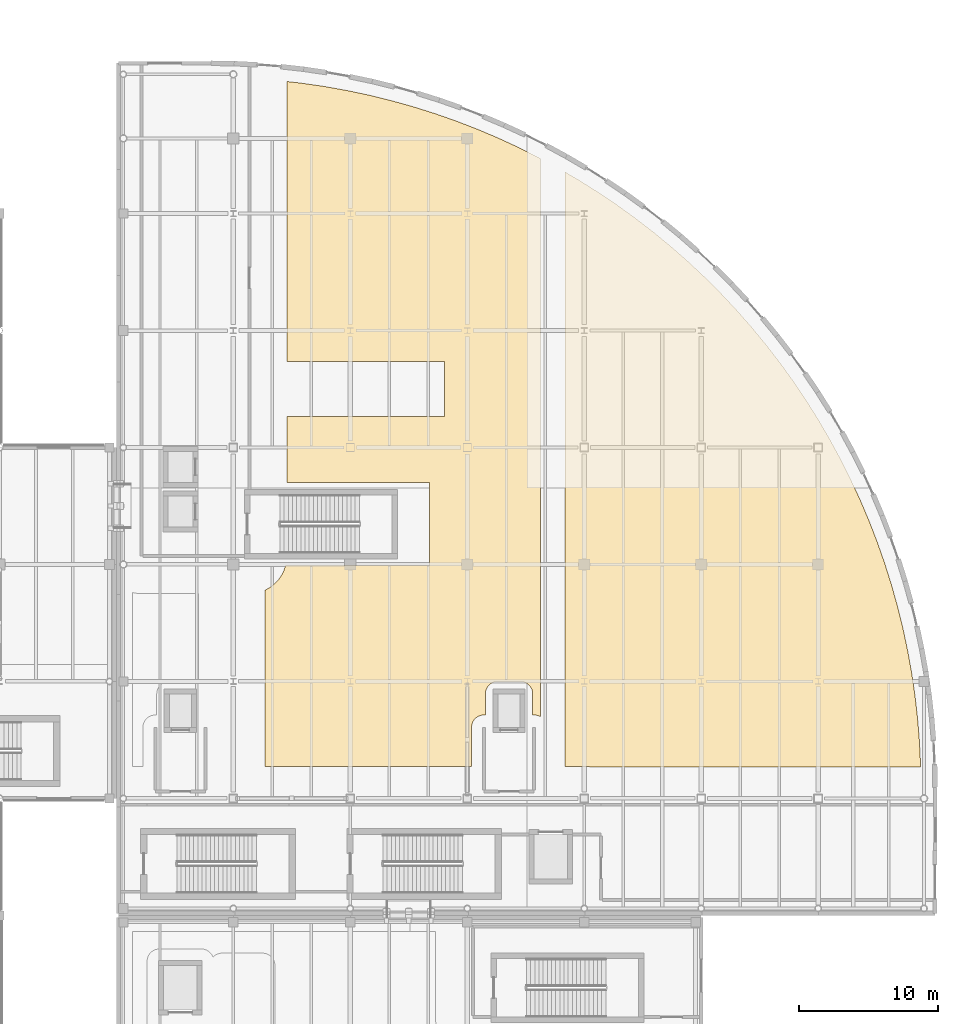
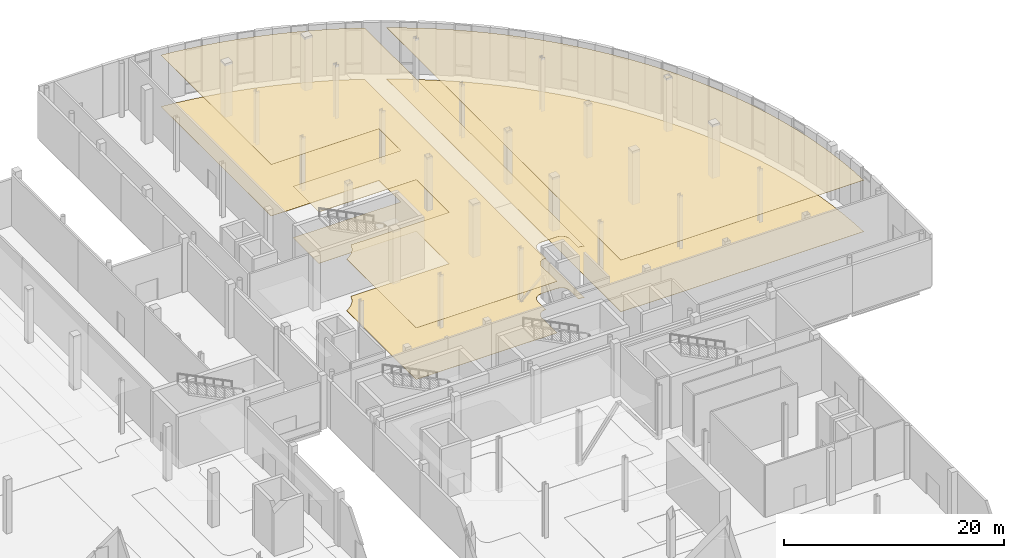
# One storey, part 82 of 85: 4 coverings.
"""IFC4 building model written with IfcOpenShell, lengths in metres."""

from ifc_helpers import new_model, si_unit, direction, frame, origin, place, context, subcontext, project, spatial, polyline, outline, extrude, material, layer, layer_set, type_object, element, save


model = new_model("IFC4")

# Units and contexts
model_context = context("Model", 3, precision=1e-05, world=origin(), true_north=direction((0.0, 1.0)))
body_context = subcontext(model_context, "Body", "Model", "MODEL_VIEW")
ifc_project = project(units=[si_unit("LENGTHUNIT", "METRE"), si_unit("AREAUNIT", "SQUARE_METRE"), si_unit("VOLUMEUNIT", "CUBIC_METRE"), si_unit("PLANEANGLEUNIT", "RADIAN"), si_unit("MASSUNIT", "GRAM", prefix="KILO"), si_unit("THERMODYNAMICTEMPERATUREUNIT", "KELVIN")], contexts=[model_context])

# Site, building, storey
site_placement = place(None, origin())
site = spatial("IfcSite", under=ifc_project, at=site_placement, CompositionType="ELEMENT")
building_placement = place(site_placement, origin())
building = spatial("IfcBuilding", under=site, at=building_placement, Name="Lustrewick Department Store", CompositionType="ELEMENT")
storey_placement = place(building_placement, origin())
storey = spatial("IfcBuildingStorey", under=building, at=storey_placement, Name="L01", CompositionType="ELEMENT", Elevation=0.0)

# Coverings
ifc_material_1 = material(Name="Perforated mineral-fibre acoustic ceiling board", Category="gypsum")
ifc_layer_1 = layer(ifc_material_1, 0.02490234375, Name="Perforated mineral-fibre acoustic ceiling board")
ifc_layer_set_1 = layer_set([ifc_layer_1], Name="Perforated mineral-fibre acoustic ceiling board")
covering_type_1 = type_object("IfcCoveringType", Name="COV-CEIL", PredefinedType="CEILING", material=ifc_layer_set_1)
covering_1_placement = place(storey_placement, frame((0.0, 0.0, 5.719970703125)))
element("IfcCovering", 1, at=covering_1_placement, inside=storey, type_object=covering_type_1, Name="L01 Watch and Jewellery Gallery Acoustic Ceiling", PredefinedType="CEILING", context=body_context, shape_type="SweptSolid", body=[
    extrude(outline(polyline([(119.889892578125, 73.765869140625), (119.889892578125, 61.090087890625), (134.7099609375, 61.090087890625), (134.7099609375, 63.903076171875), (134.714111328125, 63.98779296875), (134.726806640625, 64.071533203125), (134.727294921875, 64.074951171875), (134.731201171875, 64.092529296875), (134.731689453125, 64.095703125), (134.75439453125, 64.178466796875), (134.785400390625, 64.258544921875), (134.787841796875, 64.263671875), (134.821044921875, 64.33056640625), (134.8232421875, 64.33447265625), (134.86083984375, 64.39599609375), (134.903564453125, 64.4541015625), (134.906982421875, 64.45849609375), (134.970703125, 64.529296875), (135.04150390625, 64.593017578125), (135.0458984375, 64.596435546875), (135.10400390625, 64.63916015625), (135.16552734375, 64.6767578125), (135.16943359375, 64.678955078125), (135.236328125, 64.712158203125), (135.241455078125, 64.714599609375), (135.321533203125, 64.74560546875), (135.404296875, 64.768310546875), (135.407470703125, 64.768798828125), (135.425048828125, 64.772705078125), (135.428466796875, 64.773193359375), (135.51220703125, 64.785888671875), (135.596923828125, 64.7900390625), (135.699951171875, 64.7900390625), (135.699951171875, 66.301025390625), (135.700927734375, 66.343017578125), (135.701416015625, 66.34814453125), (135.71044921875, 66.43701171875), (135.71142578125, 66.443115234375), (135.72900390625, 66.52587890625), (135.72998046875, 66.53076171875), (135.741455078125, 66.56982421875), (135.742919921875, 66.574462890625), (135.769775390625, 66.6474609375), (135.802978515625, 66.7177734375), (135.80517578125, 66.721923828125), (135.823486328125, 66.7548828125), (135.82568359375, 66.758544921875), (135.857421875, 66.80859375), (135.8603515625, 66.812744140625), (135.907958984375, 66.87548828125), (135.9609375, 66.93359375), (135.96630859375, 66.93896484375), (136.0244140625, 66.9921875), (136.087158203125, 67.03955078125), (136.091552734375, 67.04248046875), (136.1416015625, 67.074462890625), (136.145263671875, 67.07666015625), (136.177978515625, 67.094970703125), (136.18212890625, 67.09716796875), (136.25244140625, 67.13037109375), (136.32568359375, 67.156982421875), (136.330078125, 67.158447265625), (136.369384765625, 67.169921875), (136.3740234375, 67.171142578125), (136.456787109375, 67.1884765625), (136.462890625, 67.189453125), (136.552001953125, 67.19873046875), (136.55712890625, 67.198974609375), (136.59912109375, 67.199951171875), (138.200927734375, 67.199951171875), (138.242919921875, 67.198974609375), (138.248046875, 67.19873046875), (138.337158203125, 67.189453125), (138.343017578125, 67.1884765625), (138.42578125, 67.171142578125), (138.4306640625, 67.169921875), (138.469970703125, 67.158447265625), (138.474365234375, 67.156982421875), (138.547607421875, 67.13037109375), (138.617919921875, 67.09716796875), (138.621826171875, 67.094970703125), (138.65478515625, 67.07666015625), (138.658447265625, 67.074462890625), (138.70849609375, 67.04248046875), (138.712890625, 67.03955078125), (138.775390625, 66.9921875), (138.833740234375, 66.93896484375), (138.839111328125, 66.93359375), (138.89208984375, 66.87548828125), (138.939697265625, 66.812744140625), (138.942626953125, 66.80859375), (138.974365234375, 66.758544921875), (138.9765625, 66.7548828125), (138.994873046875, 66.721923828125), (138.9970703125, 66.7177734375), (139.0302734375, 66.6474609375), (139.05712890625, 66.574462890625), (139.05859375, 66.56982421875), (139.06982421875, 66.53076171875), (139.071044921875, 66.52587890625), (139.08837890625, 66.443115234375), (139.089599609375, 66.43701171875), (139.0986328125, 66.34814453125), (139.09912109375, 66.343017578125), (139.10009765625, 66.301025390625), (139.10009765625, 64.7900390625), (139.202880859375, 64.7900390625), (139.28759765625, 64.785888671875), (139.37158203125, 64.773193359375), (139.375, 64.772705078125), (139.392578125, 64.768798828125), (139.395751953125, 64.768310546875), (139.478515625, 64.74560546875), (139.55859375, 64.714599609375), (139.563720703125, 64.712158203125), (139.630615234375, 64.678955078125), (139.634521484375, 64.6767578125), (139.67431640625, 64.65234375), (139.67431640625, 104.747802734375), (139.580078125, 104.798828125), (138.119384765625, 105.53125), (136.6357421875, 106.216796875), (135.131103515625, 106.85400390625), (133.606689453125, 107.443115234375), (132.064208984375, 107.982666015625), (130.505126953125, 108.472900390625), (128.93115234375, 108.91259765625), (127.343994140625, 109.3017578125), (125.7451171875, 109.639892578125), (124.136474609375, 109.926513671875), (122.519287109375, 110.161376953125), (121.43994140625, 110.282958984375), (121.43994140625, 90.179931640625), (132.780029296875, 90.179931640625), (132.780029296875, 86.219970703125), (121.43994140625, 86.219970703125), (121.43994140625, 81.489990234375), (129.0029296875, 81.489990234375), (129.087646484375, 81.48583984375), (129.126708984375, 81.47998046875), (131.679931640625, 81.47998046875), (131.679931640625, 75.52001953125), (129.126708984375, 75.52001953125), (129.087646484375, 75.51416015625), (129.0029296875, 75.510009765625), (121.347900390625, 75.510009765625), (121.335693359375, 75.46044921875), (121.325439453125, 75.423095703125), (121.324462890625, 75.420166015625), (121.310791015625, 75.378662109375), (121.25048828125, 75.2099609375), (121.227294921875, 75.15185546875), (121.22607421875, 75.149169921875), (121.2177734375, 75.131103515625), (121.1416015625, 74.969970703125), (121.116455078125, 74.9208984375), (121.114990234375, 74.91845703125), (121.101318359375, 74.89453125), (121.009765625, 74.7421875), (121.001708984375, 74.728759765625), (121.0, 74.726318359375), (120.962646484375, 74.671142578125), (120.855224609375, 74.5263671875), (120.802734375, 74.46240234375), (120.681396484375, 74.32861328125), (120.653076171875, 74.298828125), (120.651123046875, 74.296875), (120.62109375, 74.268310546875), (120.43017578125, 74.09521484375), (120.427734375, 74.09814453125), (120.423095703125, 74.094482421875), (120.27880859375, 73.9873046875), (120.2236328125, 73.949951171875), (120.22119140625, 73.948486328125), (120.2080078125, 73.940185546875), (120.055419921875, 73.848876953125), (120.031494140625, 73.835205078125), (120.029052734375, 73.83349609375), (119.97998046875, 73.80859375), (119.889892578125, 73.765869140625)])), origin(), (0.0, 0.0, 1.0), 0.025146484375),
])
covering_2_placement = place(storey_placement, frame((0.0, 0.0, 5.719970703125)))
element("IfcCovering", 2, at=covering_2_placement, inside=storey, type_object=covering_type_1, Name="L01 Cosmetics and Perfumery Boutique Acoustic Ceiling", PredefinedType="CEILING", context=body_context, shape_type="SweptSolid", body=[
    extrude(outline(polyline([(141.434326171875, 103.775634765625), (141.434326171875, 61.090087890625), (143.0029296875, 61.090087890625), (143.087646484375, 61.085693359375), (143.171630859375, 61.0732421875), (143.175048828125, 61.072509765625), (143.1923828125, 61.06884765625), (143.19580078125, 61.068115234375), (143.278564453125, 61.04541015625), (143.29248046875, 61.0400390625), (166.956787109375, 61.0400390625), (166.95361328125, 61.23388671875), (166.875244140625, 62.8662109375), (166.744384765625, 64.495361328125), (166.561279296875, 66.119140625), (166.326416015625, 67.736328125), (166.039794921875, 69.34521484375), (165.701904296875, 70.944091796875), (165.3125, 72.53125), (164.872802734375, 74.105224609375), (164.3828125, 75.664306640625), (163.843017578125, 77.206787109375), (163.254150390625, 78.731201171875), (162.61669921875, 80.235595703125), (161.93115234375, 81.71923828125), (161.19873046875, 83.18017578125), (160.419677734375, 84.61669921875), (159.59521484375, 86.027587890625), (158.7255859375, 87.411376953125), (157.8125, 88.7666015625), (156.85595703125, 90.091552734375), (155.857666015625, 91.385498046875), (154.818359375, 92.646484375), (153.7392578125, 93.873779296875), (152.621337890625, 95.06591796875), (151.4658203125, 96.221435546875), (150.273681640625, 97.33935546875), (149.046630859375, 98.41845703125), (147.785400390625, 99.45751953125), (146.49169921875, 100.4560546875), (145.16650390625, 101.412353515625), (143.811279296875, 102.32568359375), (142.427490234375, 103.195068359375), (141.434326171875, 103.775634765625)])), origin(), (0.0, 0.0, 1.0), 0.025146484375),
])
ifc_material_2 = material(Name="Polished terrazzo and porcelain floor finish", Category="masonry")
ifc_layer_2 = layer(ifc_material_2, 0.02001953125, Name="Polished terrazzo and porcelain floor finish")
ifc_layer_set_2 = layer_set([ifc_layer_2], Name="Polished terrazzo and porcelain floor finish")
covering_type_2 = type_object("IfcCoveringType", Name="COV-FLR", PredefinedType="FLOORING", material=ifc_layer_set_2)
covering_3_placement = place(storey_placement, origin())
element("IfcCovering", 3, at=covering_3_placement, inside=storey, type_object=covering_type_2, Name="L01 Watch and Jewellery Gallery Terrazzo Flooring", PredefinedType="FLOORING", context=body_context, shape_type="SweptSolid", body=[
    extrude(outline(polyline([(119.889892578125, 73.765869140625), (119.889892578125, 61.090087890625), (134.7099609375, 61.090087890625), (134.7099609375, 63.903076171875), (134.714111328125, 63.98779296875), (134.726806640625, 64.071533203125), (134.727294921875, 64.074951171875), (134.731201171875, 64.092529296875), (134.731689453125, 64.095703125), (134.75439453125, 64.178466796875), (134.785400390625, 64.258544921875), (134.787841796875, 64.263671875), (134.821044921875, 64.33056640625), (134.8232421875, 64.33447265625), (134.86083984375, 64.39599609375), (134.903564453125, 64.4541015625), (134.906982421875, 64.45849609375), (134.970703125, 64.529296875), (135.04150390625, 64.593017578125), (135.0458984375, 64.596435546875), (135.10400390625, 64.63916015625), (135.16552734375, 64.6767578125), (135.16943359375, 64.678955078125), (135.236328125, 64.712158203125), (135.241455078125, 64.714599609375), (135.321533203125, 64.74560546875), (135.404296875, 64.768310546875), (135.407470703125, 64.768798828125), (135.425048828125, 64.772705078125), (135.428466796875, 64.773193359375), (135.51220703125, 64.785888671875), (135.596923828125, 64.7900390625), (135.699951171875, 64.7900390625), (135.699951171875, 66.301025390625), (135.700927734375, 66.343017578125), (135.701416015625, 66.34814453125), (135.71044921875, 66.43701171875), (135.71142578125, 66.443115234375), (135.72900390625, 66.52587890625), (135.72998046875, 66.53076171875), (135.741455078125, 66.56982421875), (135.742919921875, 66.574462890625), (135.769775390625, 66.6474609375), (135.802978515625, 66.7177734375), (135.80517578125, 66.721923828125), (135.823486328125, 66.7548828125), (135.82568359375, 66.758544921875), (135.857421875, 66.80859375), (135.8603515625, 66.812744140625), (135.907958984375, 66.87548828125), (135.9609375, 66.93359375), (135.96630859375, 66.93896484375), (136.0244140625, 66.9921875), (136.087158203125, 67.03955078125), (136.091552734375, 67.04248046875), (136.1416015625, 67.074462890625), (136.145263671875, 67.07666015625), (136.177978515625, 67.094970703125), (136.18212890625, 67.09716796875), (136.25244140625, 67.13037109375), (136.32568359375, 67.156982421875), (136.330078125, 67.158447265625), (136.369384765625, 67.169921875), (136.3740234375, 67.171142578125), (136.456787109375, 67.1884765625), (136.462890625, 67.189453125), (136.552001953125, 67.19873046875), (136.55712890625, 67.198974609375), (136.59912109375, 67.199951171875), (138.200927734375, 67.199951171875), (138.242919921875, 67.198974609375), (138.248046875, 67.19873046875), (138.337158203125, 67.189453125), (138.343017578125, 67.1884765625), (138.42578125, 67.171142578125), (138.4306640625, 67.169921875), (138.469970703125, 67.158447265625), (138.474365234375, 67.156982421875), (138.547607421875, 67.13037109375), (138.617919921875, 67.09716796875), (138.621826171875, 67.094970703125), (138.65478515625, 67.07666015625), (138.658447265625, 67.074462890625), (138.70849609375, 67.04248046875), (138.712890625, 67.03955078125), (138.775390625, 66.9921875), (138.833740234375, 66.93896484375), (138.839111328125, 66.93359375), (138.89208984375, 66.87548828125), (138.939697265625, 66.812744140625), (138.942626953125, 66.80859375), (138.974365234375, 66.758544921875), (138.9765625, 66.7548828125), (138.994873046875, 66.721923828125), (138.9970703125, 66.7177734375), (139.0302734375, 66.6474609375), (139.05712890625, 66.574462890625), (139.05859375, 66.56982421875), (139.06982421875, 66.53076171875), (139.071044921875, 66.52587890625), (139.08837890625, 66.443115234375), (139.089599609375, 66.43701171875), (139.0986328125, 66.34814453125), (139.09912109375, 66.343017578125), (139.10009765625, 66.301025390625), (139.10009765625, 64.7900390625), (139.202880859375, 64.7900390625), (139.28759765625, 64.785888671875), (139.37158203125, 64.773193359375), (139.375, 64.772705078125), (139.392578125, 64.768798828125), (139.395751953125, 64.768310546875), (139.478515625, 64.74560546875), (139.55859375, 64.714599609375), (139.563720703125, 64.712158203125), (139.630615234375, 64.678955078125), (139.634521484375, 64.6767578125), (139.67431640625, 64.65234375), (139.67431640625, 104.747802734375), (139.580078125, 104.798828125), (138.119384765625, 105.53125), (136.6357421875, 106.216796875), (135.131103515625, 106.85400390625), (133.606689453125, 107.443115234375), (132.064208984375, 107.982666015625), (130.505126953125, 108.472900390625), (128.93115234375, 108.91259765625), (127.343994140625, 109.3017578125), (125.7451171875, 109.639892578125), (124.136474609375, 109.926513671875), (122.519287109375, 110.161376953125), (121.43994140625, 110.282958984375), (121.43994140625, 90.179931640625), (132.780029296875, 90.179931640625), (132.780029296875, 86.219970703125), (121.43994140625, 86.219970703125), (121.43994140625, 81.489990234375), (129.0029296875, 81.489990234375), (129.087646484375, 81.48583984375), (129.126708984375, 81.47998046875), (131.679931640625, 81.47998046875), (131.679931640625, 75.52001953125), (129.126708984375, 75.52001953125), (129.087646484375, 75.51416015625), (129.0029296875, 75.510009765625), (121.347900390625, 75.510009765625), (121.335693359375, 75.46044921875), (121.325439453125, 75.423095703125), (121.324462890625, 75.420166015625), (121.310791015625, 75.378662109375), (121.25048828125, 75.2099609375), (121.227294921875, 75.15185546875), (121.22607421875, 75.149169921875), (121.2177734375, 75.131103515625), (121.1416015625, 74.969970703125), (121.116455078125, 74.9208984375), (121.114990234375, 74.91845703125), (121.101318359375, 74.89453125), (121.009765625, 74.7421875), (121.001708984375, 74.728759765625), (121.0, 74.726318359375), (120.962646484375, 74.671142578125), (120.855224609375, 74.5263671875), (120.802734375, 74.46240234375), (120.681396484375, 74.32861328125), (120.653076171875, 74.298828125), (120.651123046875, 74.296875), (120.62109375, 74.268310546875), (120.43017578125, 74.09521484375), (120.427734375, 74.09814453125), (120.423095703125, 74.094482421875), (120.27880859375, 73.9873046875), (120.2236328125, 73.949951171875), (120.22119140625, 73.948486328125), (120.2080078125, 73.940185546875), (120.055419921875, 73.848876953125), (120.031494140625, 73.835205078125), (120.029052734375, 73.83349609375), (119.97998046875, 73.80859375), (119.889892578125, 73.765869140625)])), origin(), (0.0, 0.0, 1.0), 0.02001953125),
])
covering_4_placement = place(storey_placement, origin())
element("IfcCovering", 4, at=covering_4_placement, inside=storey, type_object=covering_type_2, Name="L01 Cosmetics and Perfumery Boutique Terrazzo Flooring", PredefinedType="FLOORING", context=body_context, shape_type="SweptSolid", body=[
    extrude(outline(polyline([(141.434326171875, 103.775634765625), (141.434326171875, 61.090087890625), (143.0029296875, 61.090087890625), (143.087646484375, 61.085693359375), (143.171630859375, 61.0732421875), (143.175048828125, 61.072509765625), (143.1923828125, 61.06884765625), (143.19580078125, 61.068115234375), (143.278564453125, 61.04541015625), (143.29248046875, 61.0400390625), (166.956787109375, 61.0400390625), (166.95361328125, 61.23388671875), (166.875244140625, 62.8662109375), (166.744384765625, 64.495361328125), (166.561279296875, 66.119140625), (166.326416015625, 67.736328125), (166.039794921875, 69.34521484375), (165.701904296875, 70.944091796875), (165.3125, 72.53125), (164.872802734375, 74.105224609375), (164.3828125, 75.664306640625), (163.843017578125, 77.206787109375), (163.254150390625, 78.731201171875), (162.61669921875, 80.235595703125), (161.93115234375, 81.71923828125), (161.19873046875, 83.18017578125), (160.419677734375, 84.61669921875), (159.59521484375, 86.027587890625), (158.7255859375, 87.411376953125), (157.8125, 88.7666015625), (156.85595703125, 90.091552734375), (155.857666015625, 91.385498046875), (154.818359375, 92.646484375), (153.7392578125, 93.873779296875), (152.621337890625, 95.06591796875), (151.4658203125, 96.221435546875), (150.273681640625, 97.33935546875), (149.046630859375, 98.41845703125), (147.785400390625, 99.45751953125), (146.49169921875, 100.4560546875), (145.16650390625, 101.412353515625), (143.811279296875, 102.32568359375), (142.427490234375, 103.195068359375), (141.434326171875, 103.775634765625)])), origin(), (0.0, 0.0, 1.0), 0.02001953125),
])

save(model, "model.ifc")
